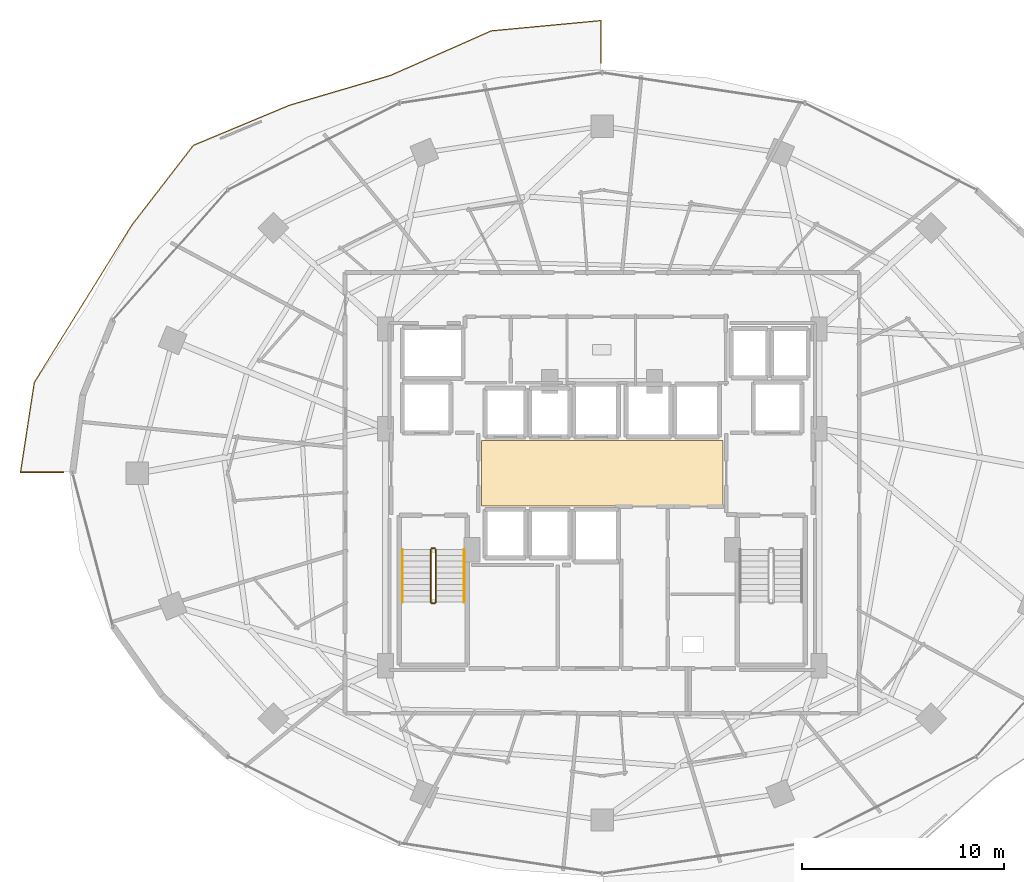
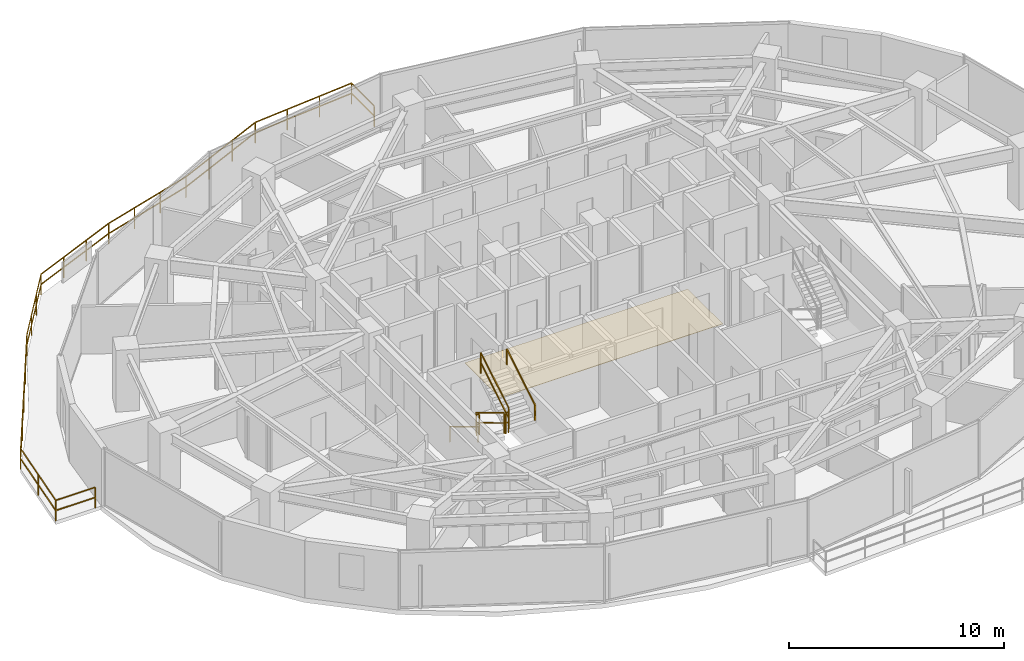
# One storey, part 26 of 29: 8 railings, 1 covering.
"""IFC4 building model written with IfcOpenShell, lengths in metres."""

from ifc_helpers import new_model, si_unit, direction, frame, origin, origin_2d, place, context, subcontext, project, spatial, polyline, rectangle, outline, extrude, material, layer, layer_set, type_object, element, save


model = new_model("IFC4")

# Units and contexts
model_context = context("Model", 3, precision=1e-05, world=origin(), true_north=direction((0.0, 1.0)))
body_context = subcontext(model_context, "Body", "Model", "MODEL_VIEW")
ifc_project = project(units=[si_unit("LENGTHUNIT", "METRE"), si_unit("AREAUNIT", "SQUARE_METRE"), si_unit("VOLUMEUNIT", "CUBIC_METRE"), si_unit("PLANEANGLEUNIT", "RADIAN"), si_unit("MASSUNIT", "GRAM", prefix="KILO")], contexts=[model_context])

# Site, building, storey
site_placement = place(None, origin())
site = spatial("IfcSite", under=ifc_project, at=site_placement, CompositionType="ELEMENT")
building_placement = place(site_placement, origin())
building = spatial("IfcBuilding", under=site, at=building_placement, Name="Vorneva Point Tower", CompositionType="ELEMENT")
storey_placement = place(building_placement, frame((0.0, 0.0, 110.300048828125)))
storey = spatial("IfcBuildingStorey", under=building, at=storey_placement, Name="L29", CompositionType="ELEMENT", Elevation=110.300048828125)

# Covering
ifc_material_1 = material(Name="Acoustic wool hospitality carpet", Category="textile")
ifc_layer = layer(ifc_material_1, 0.01806640625)
ifc_layer_set = layer_set([ifc_layer], Name="Acoustic wool hospitality carpet")
covering_type = type_object("IfcCoveringType", Name="COV-FLR-CRP", PredefinedType="FLOORING", material=ifc_layer_set)
covering_placement = place(storey_placement, frame((0.0, 0.0, -0.005126953125)))
element("IfcCovering", 1, at=covering_placement, inside=storey, type_object=covering_type, Name="L29 Lift Lobby Floor Finish", PredefinedType="FLOORING", context=body_context, shape_type="SweptSolid", body=[
    extrude(outline(polyline([(32.02001953125, 24.3701171875), (43.97998046875, 24.3701171875), (43.97998046875, 27.6298828125), (32.02001953125, 27.6298828125), (32.02001953125, 24.3701171875)])), origin(), (0.0, 0.0, 1.0), 0.023193359375),
])

# Railings
ifc_material_2 = material(Name="Pale anodised aluminium", Category="aluminium")
railing_type_1 = type_object("IfcRailingType", Name="RL-BAL-1200", PredefinedType="BALUSTRADE", material=ifc_material_2)
railing_1_placement = place(storey_placement, frame((9.16259765625, 26.050048828125, 0.0)))
element("IfcRailing", 2, at=railing_1_placement, inside=storey, type_object=railing_type_1, Name="L29 Wave Balcony Balustrade NW.1", PredefinedType="BALUSTRADE", context=body_context, shape_type="SweptSolid", body=[
    extrude(rectangle(XDim=0.048095703125, YDim=0.048095703125, at=origin_2d()), frame((0.0, 0.0, 1.17578125), z_axis=(1.0, 0.0, 0.0), x_axis=(0.0, 1.0, 0.0)), (0.0, 0.0, 1.0), 2.12109375),
    extrude(rectangle(XDim=0.048095703125, YDim=0.048095703125, at=origin_2d()), frame((0.0, 0.0, 0.60009765625), z_axis=(1.0, 0.0, 0.0), x_axis=(0.0, 1.0, 0.0)), (0.0, 0.0, 1.0), 2.12109375),
    extrude(rectangle(XDim=0.0419921875, YDim=0.0419921875, at=origin_2d()), origin(), (0.0, 0.0, 1.0), 1.15185546875),
    extrude(rectangle(XDim=0.0419921875, YDim=0.0419921875, at=origin_2d()), frame((2.12109375, 0.0, 0.0)), (0.0, 0.0, 1.0), 1.15185546875),
])
railing_2_placement = place(storey_placement, frame((37.949951171875, 46.317138671875, 0.0)))
element("IfcRailing", 3, at=railing_2_placement, inside=storey, type_object=railing_type_1, Name="L29 Wave Balcony Balustrade NW.2", PredefinedType="BALUSTRADE", context=body_context, shape_type="SweptSolid", body=[
    extrude(rectangle(XDim=0.048095703125, YDim=0.048095703125, at=origin_2d()), frame((0.0, 0.0, 1.17578125), z_axis=(0.0, 1.0, 0.0), x_axis=(-1.0, 0.0, 0.0)), (0.0, 0.0, 1.0), 2.123046875),
    extrude(rectangle(XDim=0.048095703125, YDim=0.048095703125, at=origin_2d()), frame((0.0, 0.0, 0.60009765625), z_axis=(0.0, 1.0, 0.0), x_axis=(-1.0, 0.0, 0.0)), (0.0, 0.0, 1.0), 2.123046875),
    extrude(rectangle(XDim=0.048095703125, YDim=0.048095703125, at=origin_2d()), frame((0.0, 2.123046875, 1.17578125), z_axis=(-0.995618925053, -0.093503775738, 0.0), x_axis=(0.093503775738, -0.995618925053, 0.0)), (0.0, 0.0, 1.0), 5.47265625),
    extrude(rectangle(XDim=0.048095703125, YDim=0.048095703125, at=origin_2d()), frame((0.0, 2.123046875, 0.60009765625), z_axis=(-0.995618925053, -0.093503775738, 0.0), x_axis=(0.093503775738, -0.995618925053, 0.0)), (0.0, 0.0, 1.0), 5.47265625),
    extrude(rectangle(XDim=0.048095703125, YDim=0.048095703125, at=origin_2d()), frame((-5.44873046875, 1.611328125, 1.17578125), z_axis=(-0.914655849892, -0.404233442776, 0.0), x_axis=(0.404233442776, -0.914655849892, 0.0)), (0.0, 0.0, 1.0), 5.46044921875),
    extrude(rectangle(XDim=0.048095703125, YDim=0.048095703125, at=origin_2d()), frame((-5.44873046875, 1.611328125, 0.60009765625), z_axis=(-0.914655849892, -0.404233442776, 0.0), x_axis=(0.404233442776, -0.914655849892, 0.0)), (0.0, 0.0, 1.0), 5.46044921875),
    extrude(rectangle(XDim=0.048095703125, YDim=0.048095703125, at=origin_2d()), frame((-10.443115234375, -0.595947265625, 1.17578125), z_axis=(-0.959085741968, -0.283115770586, 0.0), x_axis=(0.283115770586, -0.959085741968, 0.0)), (0.0, 0.0, 1.0), 5.205810546875),
    extrude(rectangle(XDim=0.048095703125, YDim=0.048095703125, at=origin_2d()), frame((-10.443115234375, -0.595947265625, 0.60009765625), z_axis=(-0.959085741968, -0.283115770586, 0.0), x_axis=(0.283115770586, -0.959085741968, 0.0)), (0.0, 0.0, 1.0), 5.205810546875),
    extrude(rectangle(XDim=0.048095703125, YDim=0.048095703125, at=origin_2d()), frame((-15.43603515625, -2.06982421875, 1.17578125), z_axis=(-0.923040666996, -0.384702387659, 0.0), x_axis=(0.384702387659, -0.923040666996, 0.0)), (0.0, 0.0, 1.0), 5.180419921875),
    extrude(rectangle(XDim=0.048095703125, YDim=0.048095703125, at=origin_2d()), frame((-15.43603515625, -2.06982421875, 0.60009765625), z_axis=(-0.923040666996, -0.384702387659, 0.0), x_axis=(0.384702387659, -0.923040666996, 0.0)), (0.0, 0.0, 1.0), 5.180419921875),
    extrude(rectangle(XDim=0.048095703125, YDim=0.048095703125, at=origin_2d()), frame((-20.2177734375, -4.062744140625, 1.17578125), z_axis=(-0.610899143247, -0.791708429145, 0.0), x_axis=(0.791708429145, -0.610899143247, 0.0)), (0.0, 0.0, 1.0), 4.981201171875),
    extrude(rectangle(XDim=0.048095703125, YDim=0.048095703125, at=origin_2d()), frame((-20.2177734375, -4.062744140625, 0.60009765625), z_axis=(-0.610899143247, -0.791708429145, 0.0), x_axis=(0.791708429145, -0.610899143247, 0.0)), (0.0, 0.0, 1.0), 4.981201171875),
    extrude(rectangle(XDim=0.048095703125, YDim=0.048095703125, at=origin_2d()), frame((-23.2607421875, -8.00634765625, 1.17578125), z_axis=(-0.526859110707, -0.849952632483, 0.0), x_axis=(0.849952632483, -0.526859110707, 0.0)), (0.0, 0.0, 1.0), 9.194580078125),
    extrude(rectangle(XDim=0.048095703125, YDim=0.048095703125, at=origin_2d()), frame((-23.2607421875, -8.00634765625, 0.60009765625), z_axis=(-0.526859110707, -0.849952632483, 0.0), x_axis=(0.849952632483, -0.526859110707, 0.0)), (0.0, 0.0, 1.0), 9.194580078125),
    extrude(rectangle(XDim=0.048095703125, YDim=0.048095703125, at=origin_2d()), frame((-28.10498046875, -15.8212890625, 1.17578125), z_axis=(-0.151710478014, -0.988424974826, 0.0), x_axis=(0.988424974826, -0.151710478014, 0.0)), (0.0, 0.0, 1.0), 4.497802734375),
    extrude(rectangle(XDim=0.048095703125, YDim=0.048095703125, at=origin_2d()), frame((-28.10498046875, -15.8212890625, 0.60009765625), z_axis=(-0.151710478014, -0.988424974826, 0.0), x_axis=(0.988424974826, -0.151710478014, 0.0)), (0.0, 0.0, 1.0), 4.497802734375),
    extrude(rectangle(XDim=0.0419921875, YDim=0.0419921875, at=origin_2d()), origin(), (0.0, 0.0, 1.0), 1.15185546875),
    extrude(rectangle(XDim=0.0419921875, YDim=0.0419921875, at=origin_2d()), frame((0.0, 2.123046875, 0.0)), (0.0, 0.0, 1.0), 1.15185546875),
    extrude(rectangle(XDim=0.0419921875, YDim=0.0419921875, at=origin_2d()), frame((-1.816162109375, 1.952392578125, 0.0)), (0.0, 0.0, 1.0), 1.15185546875),
    extrude(rectangle(XDim=0.0419921875, YDim=0.0419921875, at=origin_2d()), frame((-3.632568359375, 1.781982421875, 0.0)), (0.0, 0.0, 1.0), 1.15185546875),
    extrude(rectangle(XDim=0.0419921875, YDim=0.0419921875, at=origin_2d()), frame((-5.44873046875, 1.611328125, 0.0)), (0.0, 0.0, 1.0), 1.15185546875),
    extrude(rectangle(XDim=0.0419921875, YDim=0.0419921875, at=origin_2d()), frame((-7.113525390625, 0.87548828125, 0.0)), (0.0, 0.0, 1.0), 1.15185546875),
    extrude(rectangle(XDim=0.0419921875, YDim=0.0419921875, at=origin_2d()), frame((-8.7783203125, 0.139892578125, 0.0)), (0.0, 0.0, 1.0), 1.15185546875),
    extrude(rectangle(XDim=0.0419921875, YDim=0.0419921875, at=origin_2d()), frame((-10.443115234375, -0.595947265625, 0.0)), (0.0, 0.0, 1.0), 1.15185546875),
    extrude(rectangle(XDim=0.0419921875, YDim=0.0419921875, at=origin_2d()), frame((-12.107421875, -1.087158203125, 0.0)), (0.0, 0.0, 1.0), 1.15185546875),
    extrude(rectangle(XDim=0.0419921875, YDim=0.0419921875, at=origin_2d()), frame((-13.771728515625, -1.57861328125, 0.0)), (0.0, 0.0, 1.0), 1.15185546875),
    extrude(rectangle(XDim=0.0419921875, YDim=0.0419921875, at=origin_2d()), frame((-15.43603515625, -2.06982421875, 0.0)), (0.0, 0.0, 1.0), 1.15185546875),
    extrude(rectangle(XDim=0.0419921875, YDim=0.0419921875, at=origin_2d()), frame((-17.030029296875, -2.734130859375, 0.0)), (0.0, 0.0, 1.0), 1.15185546875),
    extrude(rectangle(XDim=0.0419921875, YDim=0.0419921875, at=origin_2d()), frame((-18.623779296875, -3.3984375, 0.0)), (0.0, 0.0, 1.0), 1.15185546875),
    extrude(rectangle(XDim=0.0419921875, YDim=0.0419921875, at=origin_2d()), frame((-20.2177734375, -4.062744140625, 0.0)), (0.0, 0.0, 1.0), 1.15185546875),
    extrude(rectangle(XDim=0.0419921875, YDim=0.0419921875, at=origin_2d()), frame((-21.232177734375, -5.377197265625, 0.0)), (0.0, 0.0, 1.0), 1.15185546875),
    extrude(rectangle(XDim=0.0419921875, YDim=0.0419921875, at=origin_2d()), frame((-22.246337890625, -6.69189453125, 0.0)), (0.0, 0.0, 1.0), 1.15185546875),
    extrude(rectangle(XDim=0.0419921875, YDim=0.0419921875, at=origin_2d()), frame((-23.2607421875, -8.00634765625, 0.0)), (0.0, 0.0, 1.0), 1.15185546875),
    extrude(rectangle(XDim=0.0419921875, YDim=0.0419921875, at=origin_2d()), frame((-24.4716796875, -9.9599609375, 0.0)), (0.0, 0.0, 1.0), 1.15185546875),
    extrude(rectangle(XDim=0.0419921875, YDim=0.0419921875, at=origin_2d()), frame((-25.682861328125, -11.913818359375, 0.0)), (0.0, 0.0, 1.0), 1.15185546875),
    extrude(rectangle(XDim=0.0419921875, YDim=0.0419921875, at=origin_2d()), frame((-26.89404296875, -13.86767578125, 0.0)), (0.0, 0.0, 1.0), 1.15185546875),
    extrude(rectangle(XDim=0.0419921875, YDim=0.0419921875, at=origin_2d()), frame((-28.10498046875, -15.8212890625, 0.0)), (0.0, 0.0, 1.0), 1.15185546875),
    extrude(rectangle(XDim=0.0419921875, YDim=0.0419921875, at=origin_2d()), frame((-28.4462890625, -18.044189453125, 0.0)), (0.0, 0.0, 1.0), 1.15185546875),
    extrude(rectangle(XDim=0.0419921875, YDim=0.0419921875, at=origin_2d()), frame((-28.787353515625, -20.26708984375, 0.0)), (0.0, 0.0, 1.0), 1.15185546875),
])
ifc_material_3 = material(Name="Brushed stainless steel S304", Category="steel")
railing_type_2 = type_object("IfcRailingType", Name="RL-HND-920", PredefinedType="HANDRAIL", material=ifc_material_3)
railing_3_placement = place(storey_placement, frame((28.10009765625, 22.219970703125, 0.175048828125)))
element("IfcRailing", 4, at=railing_3_placement, inside=storey, type_object=railing_type_2, Name="L29 ST1 stair handrail 1", PredefinedType="HANDRAIL", context=body_context, shape_type="SweptSolid", body=[
    extrude(rectangle(XDim=0.048095703125, YDim=0.048095703125, at=origin_2d()), frame((0.0, 0.0, 0.8759765625), z_axis=(0.0, -0.85618277418, 0.516673066065), x_axis=(1.0, 0.0, 0.0)), (0.0, 0.0, 1.0), 3.04833984375),
    extrude(rectangle(XDim=0.0419921875, YDim=0.0419921875, at=origin_2d()), origin(), (0.0, 0.0, 1.0), 0.851806640625),
    extrude(rectangle(XDim=0.0419921875, YDim=0.0419921875, at=origin_2d()), frame((0.0, -2.60986328125, 1.574951171875)), (0.0, 0.0, 1.0), 0.851806640625),
])
railing_4_placement = place(storey_placement, frame((31.14990234375, 19.610107421875, 1.925048828125)))
element("IfcRailing", 5, at=railing_4_placement, inside=storey, type_object=railing_type_2, Name="L29 ST1 stair handrail 2", PredefinedType="HANDRAIL", context=body_context, shape_type="SweptSolid", body=[
    extrude(rectangle(XDim=0.048095703125, YDim=0.048095703125, at=origin_2d()), frame((0.0, 0.0, 0.8759765625), z_axis=(0.0, 0.85618277418, 0.516673066065), x_axis=(-1.0, 0.0, 0.0)), (0.0, 0.0, 1.0), 3.04833984375),
    extrude(rectangle(XDim=0.0419921875, YDim=0.0419921875, at=origin_2d()), origin(), (0.0, 0.0, 1.0), 0.851806640625),
    extrude(rectangle(XDim=0.0419921875, YDim=0.0419921875, at=origin_2d()), frame((0.0, 2.60986328125, 1.574951171875)), (0.0, 0.0, 1.0), 0.851806640625),
])
railing_type_3 = type_object("IfcRailingType", Name="RL-STG-1100", PredefinedType="GUARDRAIL", material=ifc_material_3)
railing_5_placement = place(storey_placement, frame((29.5, 22.219970703125, 0.175048828125)))
element("IfcRailing", 6, at=railing_5_placement, inside=storey, type_object=railing_type_3, Name="L29 ST1 stair guard 1", PredefinedType="GUARDRAIL", context=body_context, shape_type="SweptSolid", body=[
    extrude(rectangle(XDim=0.048095703125, YDim=0.048095703125, at=origin_2d()), frame((0.0, 0.0, 1.17578125), z_axis=(0.0, -0.85618277418, 0.516673066065), x_axis=(1.0, 0.0, 0.0)), (0.0, 0.0, 1.0), 3.04833984375),
    extrude(rectangle(XDim=0.048095703125, YDim=0.048095703125, at=origin_2d()), frame((0.0, 0.0, 0.60009765625), z_axis=(0.0, -0.85618277418, 0.516673066065), x_axis=(1.0, 0.0, 0.0)), (0.0, 0.0, 1.0), 3.04833984375),
    extrude(rectangle(XDim=0.0419921875, YDim=0.0419921875, at=origin_2d()), origin(), (0.0, 0.0, 1.0), 1.15185546875),
    extrude(rectangle(XDim=0.0419921875, YDim=0.0419921875, at=origin_2d()), frame((0.0, -2.60986328125, 1.574951171875)), (0.0, 0.0, 1.0), 1.15185546875),
])
railing_6_placement = place(storey_placement, frame((29.550048828125, 19.56005859375, 1.75)))
element("IfcRailing", 7, at=railing_6_placement, inside=storey, type_object=railing_type_3, Name="L29 ST1 stair guard 2", PredefinedType="GUARDRAIL", context=body_context, shape_type="SweptSolid", body=[
    extrude(rectangle(XDim=0.048095703125, YDim=0.048095703125, at=origin_2d()), frame((0.0, 0.0, 1.17578125), z_axis=(1.0, 0.0, 0.0), x_axis=(0.0, 1.0, 0.0)), (0.0, 0.0, 1.0), 0.14990234375),
    extrude(rectangle(XDim=0.048095703125, YDim=0.048095703125, at=origin_2d()), frame((0.0, 0.0, 0.60009765625), z_axis=(1.0, 0.0, 0.0), x_axis=(0.0, 1.0, 0.0)), (0.0, 0.0, 1.0), 0.14990234375),
    extrude(rectangle(XDim=0.0419921875, YDim=0.0419921875, at=origin_2d()), origin(), (0.0, 0.0, 1.0), 1.15185546875),
    extrude(rectangle(XDim=0.0419921875, YDim=0.0419921875, at=origin_2d()), frame((0.14990234375, 0.0, 0.0)), (0.0, 0.0, 1.0), 1.15185546875),
])
railing_7_placement = place(storey_placement, frame((29.75, 19.610107421875, 1.925048828125)))
element("IfcRailing", 8, at=railing_7_placement, inside=storey, type_object=railing_type_3, Name="L29 ST1 stair guard 3", PredefinedType="GUARDRAIL", context=body_context, shape_type="SweptSolid", body=[
    extrude(rectangle(XDim=0.048095703125, YDim=0.048095703125, at=origin_2d()), frame((0.0, 0.0, 1.17578125), z_axis=(0.0, 0.85618277418, 0.516673066065), x_axis=(-1.0, 0.0, 0.0)), (0.0, 0.0, 1.0), 3.04833984375),
    extrude(rectangle(XDim=0.048095703125, YDim=0.048095703125, at=origin_2d()), frame((0.0, 0.0, 0.60009765625), z_axis=(0.0, 0.85618277418, 0.516673066065), x_axis=(-1.0, 0.0, 0.0)), (0.0, 0.0, 1.0), 3.04833984375),
    extrude(rectangle(XDim=0.0419921875, YDim=0.0419921875, at=origin_2d()), origin(), (0.0, 0.0, 1.0), 1.15185546875),
    extrude(rectangle(XDim=0.0419921875, YDim=0.0419921875, at=origin_2d()), frame((0.0, 2.60986328125, 1.574951171875)), (0.0, 0.0, 1.0), 1.15185546875),
])
railing_8_placement = place(storey_placement, frame((29.550048828125, 22.27001953125, 0.0)))
element("IfcRailing", 9, at=railing_8_placement, inside=storey, type_object=railing_type_3, Name="L29 ST1 stair guard 4", PredefinedType="GUARDRAIL", context=body_context, shape_type="SweptSolid", body=[
    extrude(rectangle(XDim=0.048095703125, YDim=0.048095703125, at=origin_2d()), frame((0.0, 0.0, 1.17578125), z_axis=(1.0, 0.0, 0.0), x_axis=(0.0, 1.0, 0.0)), (0.0, 0.0, 1.0), 0.14990234375),
    extrude(rectangle(XDim=0.048095703125, YDim=0.048095703125, at=origin_2d()), frame((0.0, 0.0, 0.60009765625), z_axis=(1.0, 0.0, 0.0), x_axis=(0.0, 1.0, 0.0)), (0.0, 0.0, 1.0), 0.14990234375),
    extrude(rectangle(XDim=0.0419921875, YDim=0.0419921875, at=origin_2d()), origin(), (0.0, 0.0, 1.0), 1.15185546875),
    extrude(rectangle(XDim=0.0419921875, YDim=0.0419921875, at=origin_2d()), frame((0.14990234375, 0.0, 0.0)), (0.0, 0.0, 1.0), 1.15185546875),
])

save(model, "model.ifc")
